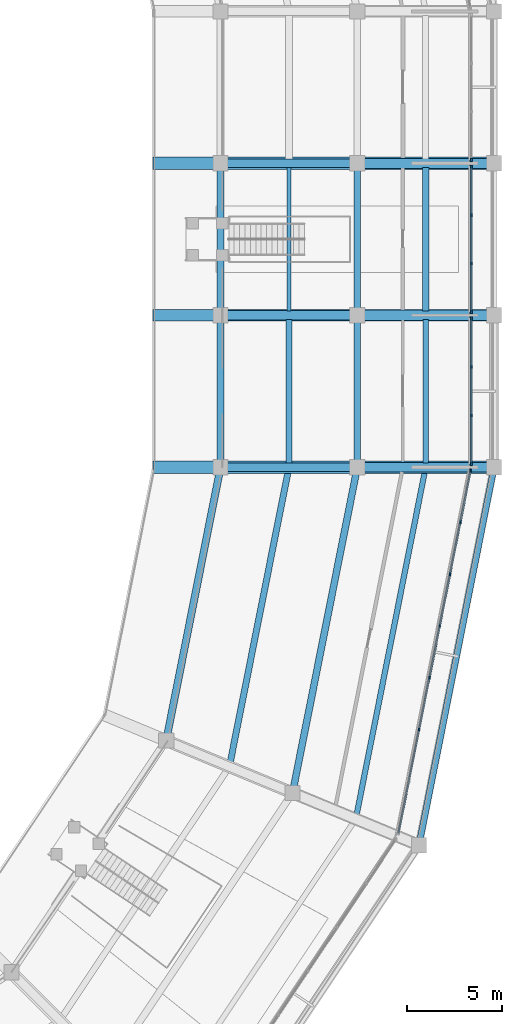
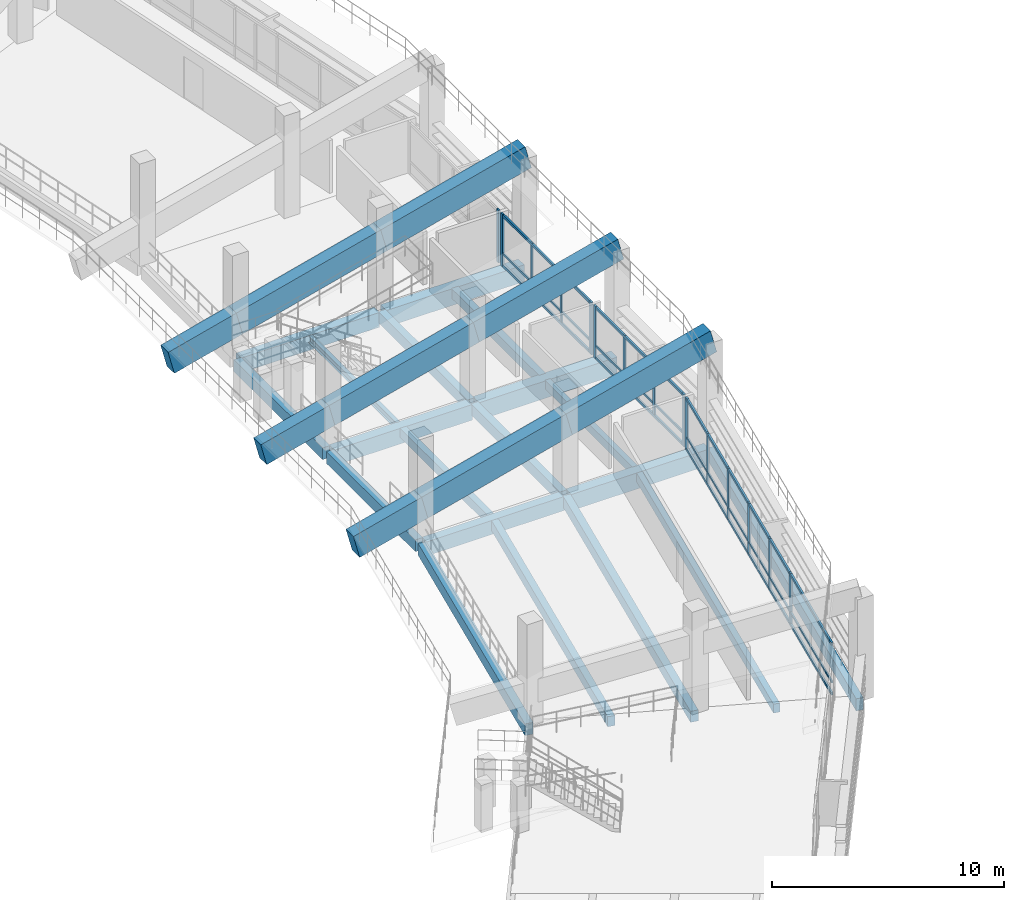
# One storey, part 33 of 96: 28 beams, 24 members, 4 elements without a shape of their own.
"""IFC4 building model written with IfcOpenShell, lengths in metres."""

import ifcopenshell
import ifcopenshell.guid

model = None  # the IFC model being written
_history = None  # IfcOwnerHistory: only IFC2X3 demands one
_inside = {}  # id of a spatial element -> (the spatial element, [elements in it])
_under = {}  # id of a project, library or spatial element -> (it, [spatial elements below it])
_declared = {}  # id of a project -> (the project, [libraries it declares])
_typed = {}  # id of a type object -> (the type object, [elements of that type])
_made_of = {}  # id of a material, layer set ... -> (it, [elements and type objects made of it])


def new_model(schema):
    """Start an empty IFC model of exactly this schema.

    Asked for "IFC4X3", IfcOpenShell would pick the latest addendum, in which some entities
    have other attributes; the version numbers below select the first issue.
    IFC2X3 requires an IfcOwnerHistory on every rooted entity: one is made here for all.
    """
    global model, _history
    if schema == "IFC4X3":
        model = ifcopenshell.file(schema_version=(4, 3, 0, 0))
    else:
        model = ifcopenshell.file(schema=schema)
    _inside.clear()
    _under.clear()
    _declared.clear()
    _typed.clear()
    _made_of.clear()
    _history = None
    if model.schema == "IFC2X3":
        org = make("IfcOrganization", Name="unknown")
        user = make(
            "IfcPersonAndOrganization",
            ThePerson=make("IfcPerson", FamilyName="unknown"),
            TheOrganization=org,
        )
        app = make(
            "IfcApplication",
            ApplicationDeveloper=org,
            Version="unknown",
            ApplicationFullName="unknown",
            ApplicationIdentifier="unknown",
        )
        _history = make(
            "IfcOwnerHistory",
            OwningUser=user,
            OwningApplication=app,
            ChangeAction="ADDED",
            CreationDate=0,
        )
    return model


def make(cls, **values):
    """One entity of the class cls with the attributes given. An attribute that is None is left unset."""
    return model.create_entity(
        cls, **{name: value for name, value in values.items() if value is not None}
    )


def rooted(cls, **values):
    """An entity with a GlobalId (a new one), such as an element, a storey or a relation."""
    return make(cls, GlobalId=ifcopenshell.guid.new(), OwnerHistory=_history, **values)


def si_unit(unit_type, name, prefix=None):
    """IfcSIUnit, for example si_unit("LENGTHUNIT", "METRE", prefix="MILLI")."""
    return make("IfcSIUnit", UnitType=unit_type, Prefix=prefix, Name=name)


def assignment(units):
    """IfcUnitAssignment: the units of a project."""
    return None if units is None else make("IfcUnitAssignment", Units=units)


def point(xyz):
    """IfcCartesianPoint."""
    return None if xyz is None else make("IfcCartesianPoint", Coordinates=xyz)


def direction(xyz):
    """IfcDirection."""
    return None if xyz is None else make("IfcDirection", DirectionRatios=xyz)


def frame(location, z_axis=None, x_axis=None):
    """IfcAxis2Placement3D, a coordinate frame: its origin and axes. An axis left out is left unset."""
    return make(
        "IfcAxis2Placement3D",
        Location=point(location),
        Axis=direction(z_axis),
        RefDirection=direction(x_axis),
    )


def frame_2d(location, x_axis=None):
    """IfcAxis2Placement2D, a coordinate frame in the plane: its origin and x axis."""
    return make(
        "IfcAxis2Placement2D", Location=point(location), RefDirection=direction(x_axis)
    )


def origin():
    """The frame at (0, 0, 0) with its axes left unset."""
    return frame((0.0, 0.0, 0.0))


def origin_2d():
    """The frame at (0, 0) in the plane with its x axis left unset."""
    return frame_2d((0.0, 0.0))


def place(relative_to, where):
    """IfcLocalPlacement: puts the frame where relative to a parent placement (None: the world)."""
    return make(
        "IfcLocalPlacement", PlacementRelTo=relative_to, RelativePlacement=where
    )


def context(
    kind, dimensions, precision=None, world=None, true_north=None, identifier=None
):
    """IfcGeometricRepresentationContext, for example the 3D "Model" context."""
    return make(
        "IfcGeometricRepresentationContext",
        ContextIdentifier=identifier,
        ContextType=kind,
        CoordinateSpaceDimension=dimensions,
        Precision=precision,
        WorldCoordinateSystem=world,
        TrueNorth=true_north,
    )


def subcontext(parent, identifier, kind, view, scale=None):
    """IfcGeometricRepresentationSubContext, for example "Body" below "Model"."""
    return make(
        "IfcGeometricRepresentationSubContext",
        ContextIdentifier=identifier,
        ContextType=kind,
        ParentContext=parent,
        TargetScale=scale,
        TargetView=view,
    )


def project(units=None, contexts=None):
    """IfcProject with its units and contexts."""
    return rooted(
        "IfcProject",
        Name="project",
        RepresentationContexts=contexts,
        UnitsInContext=assignment(units),
    )


def spatial(cls, under=None, at=None, **own):
    """A site, building, storey or space (cls), placed at a placement, below another one or the project."""
    s = rooted(cls, ObjectPlacement=at, **own)
    if under is not None:
        _under.setdefault(under.id(), (under, []))[1].append(s)
    return s


def profile(cls, at=None, kind="AREA", **sizes):
    """A parametric profile (cls). Its sizes go by their IFC names, for example OverallWidth=200.0."""
    return make(cls, ProfileType=kind, Position=at, **sizes)


def rectangle(**sizes):
    """IfcRectangleProfileDef."""
    return profile("IfcRectangleProfileDef", **sizes)


def i_section(**sizes):
    """IfcIShapeProfileDef."""
    return profile("IfcIShapeProfileDef", **sizes)


def extrude(swept, where, along, depth):
    """IfcExtrudedAreaSolid: the profile swept, set in the frame where, extruded along a direction by depth."""
    return make(
        "IfcExtrudedAreaSolid",
        SweptArea=swept,
        Position=where,
        ExtrudedDirection=direction(along),
        Depth=depth,
    )


def shape(context_of_items, identifier, shape_type, items):
    """IfcShapeRepresentation: the items that make up one representation, for example the "Body"."""
    return make(
        "IfcShapeRepresentation",
        ContextOfItems=context_of_items,
        RepresentationIdentifier=identifier,
        RepresentationType=shape_type,
        Items=items,
    )


def material(Name=None, Category=None):
    """IfcMaterial."""
    return make("IfcMaterial", Name=Name, Category=Category)


def material_profile(
    of_material, cross_section, Name=None, Category=None, Priority=None
):
    """IfcMaterialProfile: a cross section and its material."""
    return make(
        "IfcMaterialProfile",
        Name=Name,
        Material=of_material,
        Profile=cross_section,
        Priority=Priority,
        Category=Category,
    )


def profile_set(profiles, Name=None, composite=None):
    """IfcMaterialProfileSet."""
    return make(
        "IfcMaterialProfileSet",
        Name=Name,
        MaterialProfiles=profiles,
        CompositeProfile=composite,
    )


def made_of(thing, what):
    """Note that an element or type object is made of a material, layer set ...; save() writes the relation."""
    if what is not None:
        _made_of.setdefault(what.id(), (what, []))[1].append(thing)
    return thing


def type_object(cls, material=None, **own):
    """A type object (cls), such as IfcWallType, which elements share."""
    return made_of(rooted(cls, **own), material)


def element(
    cls,
    number,
    at=None,
    inside=None,
    cuts=None,
    type_object=None,
    material=None,
    context=None,
    identifier="Body",
    shape_type=None,
    held_by="IfcProductDefinitionShape",
    body=None,
    shapes=None,
    **own,
):
    """One element of the class cls, such as IfcWall. Its Tag is "e" and its number.

    at: its placement. inside: the storey or other place that contains it. cuts: it is an
    opening in that element (IfcRelVoidsElement). A single representation is given by context,
    identifier, shape_type and body (its items); several are given by shapes. held_by: the class
    of the entity that holds the representations. save() writes the other relations.
    """
    e = rooted(cls, Tag="e%d" % number, ObjectPlacement=at, **own)
    if body is not None:
        shapes = [shape(context, identifier, shape_type, body)]
    if shapes is not None:
        e.Representation = make(held_by, Representations=shapes)
    if inside is not None:
        _inside.setdefault(inside.id(), (inside, []))[1].append(e)
    if cuts is not None:
        rooted(
            "IfcRelVoidsElement", RelatingBuildingElement=cuts, RelatedOpeningElement=e
        )
    if type_object is not None:
        _typed.setdefault(type_object.id(), (type_object, []))[1].append(e)
    return made_of(e, material)


def aggregate(whole, parts):
    """IfcRelAggregates: a whole, such as a stair, and the parts it consists of."""
    return rooted("IfcRelAggregates", RelatingObject=whole, RelatedObjects=parts)


def save(model, path):
    """Write the relations noted so far, then the file.

    IfcRelAggregates (storeys below a building ...), IfcRelContainedInSpatialStructure (elements
    in a storey), IfcRelDefinesByType, IfcRelAssociatesMaterial and IfcRelDeclares: one each for
    every whole, place, type object, material and project.
    """
    for whole, parts in _under.values():
        aggregate(whole, parts)
    for where, things in _inside.values():
        rooted(
            "IfcRelContainedInSpatialStructure",
            RelatedElements=things,
            RelatingStructure=where,
        )
    for kind, things in _typed.values():
        rooted("IfcRelDefinesByType", RelatedObjects=things, RelatingType=kind)
    for what, things in _made_of.values():
        rooted("IfcRelAssociatesMaterial", RelatedObjects=things, RelatingMaterial=what)
    for by, libraries in _declared.values():
        rooted("IfcRelDeclares", RelatingContext=by, RelatedDefinitions=libraries)
    model.write(path)


model = new_model("IFC4")

# Units and contexts
model_context = context("Model", 3, precision=1e-05, world=origin(), true_north=direction((0.0, 1.0)))
body_context = subcontext(model_context, "Body", "Model", "MODEL_VIEW")
ifc_project = project(units=[si_unit("LENGTHUNIT", "METRE"), si_unit("AREAUNIT", "SQUARE_METRE"), si_unit("VOLUMEUNIT", "CUBIC_METRE"), si_unit("PLANEANGLEUNIT", "RADIAN"), si_unit("MASSUNIT", "GRAM", prefix="KILO")], contexts=[model_context])

# Site, building, storey
site_placement = place(None, origin())
site = spatial("IfcSite", under=ifc_project, at=site_placement, CompositionType="ELEMENT")
building_placement = place(site_placement, origin())
building = spatial("IfcBuilding", under=site, at=building_placement, Name="Candeia Ridge Stadium", CompositionType="ELEMENT")
storey_placement = place(building_placement, frame((0.0, 0.0, 21.60009765625)))
storey = spatial("IfcBuildingStorey", under=building, at=storey_placement, Name="L04", CompositionType="ELEMENT", Elevation=21.60009765625)

# Beam
ifc_material_1 = material(Name="Steel ASTM A572 Grade 50", Category="steel")
ifc_material_profile_1 = material_profile(ifc_material_1, i_section(OverallWidth=0.205078125, OverallDepth=0.35400390625, WebThickness=0.009521484375, FlangeThickness=0.016845703125, FilletRadius=0.014892578125, at=origin_2d()), Name="W360x79", Category="steel")
ifc_profile_set_1 = profile_set([ifc_material_profile_1], Name="Steel ASTM A572 Grade 50")
beam_type_1 = type_object("IfcBeamType", Name="Concourse Secondary Joist W360x79", PredefinedType="JOIST", material=ifc_profile_set_1)
beam_1_placement = place(storey_placement, frame((182.199951171875, 79.221923828125, -0.43701171875), z_axis=(0.0, 1.0, 0.0), x_axis=(-1.0, 0.0, 0.0)))
element("IfcBeam", 1, at=beam_1_placement, inside=storey, type_object=beam_type_1, Name="Concourse secondary joist BM-L04-0935", PredefinedType="JOIST", context=body_context, shape_type="SweptSolid", body=[
    extrude(i_section(OverallWidth=0.205078125, OverallDepth=0.35400390625, WebThickness=0.009521484375, FlangeThickness=0.016845703125, FilletRadius=0.014892578125, at=origin_2d()), origin(), (0.0, 0.0, 1.0), 7.55615234375),
])

# Curtain wall, member
ifc_material_2 = material(Name="Aluminium Anodized Warm Bronze", Category="aluminium")
curtain_wall_type = type_object("IfcCurtainWallType", Name="Concourse Recessed Unitised Curtain Wall", PredefinedType="NOTDEFINED", material=ifc_material_2)
curtain_wall_1_placement = place(storey_placement, origin())
curtain_wall_1 = element("IfcCurtainWall", 2, at=curtain_wall_1_placement, inside=storey, type_object=curtain_wall_type, Name="Unitised curtain wall CW-BWL-L04-28", PredefinedType="NOTDEFINED")
ifc_material_profile_2 = material_profile(ifc_material_2, rectangle(XDim=0.090087890625, YDim=0.179931640625, at=origin_2d()), Name="CWM-90x180", Category="aluminium")
ifc_profile_set_2 = profile_set([ifc_material_profile_2], Name="Aluminium Anodized Warm Bronze")
member_type_1 = type_object("IfcMemberType", Name="Curtain Wall Primary Mullion 90x180", PredefinedType="MULLION", material=ifc_profile_set_2)
member_1_placement = place(storey_placement, frame((191.764892578125, 70.823486328125, 0.0), z_axis=(0.0, 0.0, 1.0), x_axis=(1.0, 0.0, 0.0)))
member_1 = element("IfcMember", 3, at=member_1_placement, type_object=member_type_1, Name="Curtain wall mullion CW-BWL-L04-28-M7", PredefinedType="MULLION", context=body_context, shape_type="SweptSolid", body=[
    extrude(rectangle(XDim=0.090087890625, YDim=0.179931640625, at=origin_2d()), origin(), (0.0, 0.0, 1.0), 2.772216796875),
])

# Curtain wall, members
curtain_wall_2_placement = place(storey_placement, origin())
curtain_wall_2 = element("IfcCurtainWall", 4, at=curtain_wall_2_placement, inside=storey, type_object=curtain_wall_type, Name="Unitised curtain wall CW-BWL-L04-29", PredefinedType="NOTDEFINED")
member_2_placement = place(storey_placement, frame((191.800048828125, 71.179931640625, 0.0), z_axis=(0.0, 0.0, 1.0), x_axis=(1.0, 0.0, 0.0)))
member_2 = element("IfcMember", 5, at=member_2_placement, type_object=member_type_1, Name="Curtain wall mullion CW-BWL-L04-29-M0", PredefinedType="MULLION", context=body_context, shape_type="SweptSolid", body=[
    extrude(rectangle(XDim=0.090087890625, YDim=0.179931640625, at=origin_2d()), origin(), (0.0, 0.0, 1.0), 2.772216796875),
])
member_3_placement = place(storey_placement, frame((191.800048828125, 78.820068359375, 0.0), z_axis=(0.0, 0.0, 1.0), x_axis=(1.0, 0.0, 0.0)))
member_3 = element("IfcMember", 6, at=member_3_placement, type_object=member_type_1, Name="Curtain wall mullion CW-BWL-L04-29-M3", PredefinedType="MULLION", context=body_context, shape_type="SweptSolid", body=[
    extrude(rectangle(XDim=0.090087890625, YDim=0.179931640625, at=origin_2d()), origin(), (0.0, 0.0, 1.0), 2.772216796875),
])

curtain_wall_3_placement = place(storey_placement, origin())
curtain_wall_3 = element("IfcCurtainWall", 7, at=curtain_wall_3_placement, inside=storey, type_object=curtain_wall_type, Name="Unitised curtain wall CW-BWL-L04-30", PredefinedType="NOTDEFINED")
member_4_placement = place(storey_placement, frame((191.800048828125, 79.179931640625, 0.0), z_axis=(0.0, 0.0, 1.0), x_axis=(1.0, 0.0, 0.0)))
member_4 = element("IfcMember", 8, at=member_4_placement, type_object=member_type_1, Name="Curtain wall mullion CW-BWL-L04-30-M0", PredefinedType="MULLION", context=body_context, shape_type="SweptSolid", body=[
    extrude(rectangle(XDim=0.090087890625, YDim=0.179931640625, at=origin_2d()), origin(), (0.0, 0.0, 1.0), 2.772216796875),
])
member_5_placement = place(storey_placement, frame((191.800048828125, 86.820068359375, 0.0), z_axis=(0.0, 0.0, 1.0), x_axis=(1.0, 0.0, 0.0)))
member_5 = element("IfcMember", 9, at=member_5_placement, type_object=member_type_1, Name="Curtain wall mullion CW-BWL-L04-30-M3", PredefinedType="MULLION", context=body_context, shape_type="SweptSolid", body=[
    extrude(rectangle(XDim=0.090087890625, YDim=0.179931640625, at=origin_2d()), origin(), (0.0, 0.0, 1.0), 2.772216796875),
])

# Curtain wall, member
curtain_wall_4_placement = place(storey_placement, origin())
curtain_wall_4 = element("IfcCurtainWall", 10, at=curtain_wall_4_placement, inside=storey, type_object=curtain_wall_type, Name="Unitised curtain wall CW-BWL-L04-31", PredefinedType="NOTDEFINED")
member_6_placement = place(storey_placement, frame((191.800048828125, 87.179931640625, 0.0), z_axis=(0.0, 0.0, 1.0), x_axis=(1.0, 0.0, 0.0)))
member_6 = element("IfcMember", 11, at=member_6_placement, type_object=member_type_1, Name="Curtain wall mullion CW-BWL-L04-31-M0", PredefinedType="MULLION", context=body_context, shape_type="SweptSolid", body=[
    extrude(rectangle(XDim=0.090087890625, YDim=0.179931640625, at=origin_2d()), origin(), (0.0, 0.0, 1.0), 2.772216796875),
])
aggregate(curtain_wall_4, [member_6])

# Member
ifc_material_profile_3 = material_profile(ifc_material_2, rectangle(XDim=0.074951171875, YDim=0.14990234375, at=origin_2d()), Name="CWM-75x150", Category="aluminium")
ifc_profile_set_3 = profile_set([ifc_material_profile_3], Name="Aluminium Anodized Warm Bronze")
member_type_2 = type_object("IfcMemberType", Name="Curtain Wall Secondary Mullion 75x150", PredefinedType="MULLION", material=ifc_profile_set_3)
member_7_placement = place(storey_placement, frame((189.052978515625, 57.189697265625, 0.0), z_axis=(0.0, 0.0, 1.0), x_axis=(1.0, 0.0, 0.0)))
member_7 = element("IfcMember", 12, at=member_7_placement, type_object=member_type_2, Name="Curtain wall mullion CW-BWL-L04-28-M2", PredefinedType="MULLION", context=body_context, shape_type="SweptSolid", body=[
    extrude(rectangle(XDim=0.074951171875, YDim=0.14990234375, at=origin_2d()), origin(), (0.0, 0.0, 1.0), 2.772216796875),
])

member_8_placement = place(storey_placement, frame((189.595458984375, 59.91650390625, 0.0), z_axis=(0.0, 0.0, 1.0), x_axis=(1.0, 0.0, 0.0)))
member_8 = element("IfcMember", 13, at=member_8_placement, type_object=member_type_2, Name="Curtain wall mullion CW-BWL-L04-28-M3", PredefinedType="MULLION", context=body_context, shape_type="SweptSolid", body=[
    extrude(rectangle(XDim=0.074951171875, YDim=0.14990234375, at=origin_2d()), origin(), (0.0, 0.0, 1.0), 2.772216796875),
])

member_9_placement = place(storey_placement, frame((190.1376953125, 62.643310546875, 0.0), z_axis=(0.0, 0.0, 1.0), x_axis=(1.0, 0.0, 0.0)))
member_9 = element("IfcMember", 14, at=member_9_placement, type_object=member_type_2, Name="Curtain wall mullion CW-BWL-L04-28-M4", PredefinedType="MULLION", context=body_context, shape_type="SweptSolid", body=[
    extrude(rectangle(XDim=0.074951171875, YDim=0.14990234375, at=origin_2d()), origin(), (0.0, 0.0, 1.0), 2.772216796875),
])

member_10_placement = place(storey_placement, frame((190.68017578125, 65.3701171875, 0.0), z_axis=(0.0, 0.0, 1.0), x_axis=(1.0, 0.0, 0.0)))
member_10 = element("IfcMember", 15, at=member_10_placement, type_object=member_type_2, Name="Curtain wall mullion CW-BWL-L04-28-M5", PredefinedType="MULLION", context=body_context, shape_type="SweptSolid", body=[
    extrude(rectangle(XDim=0.074951171875, YDim=0.14990234375, at=origin_2d()), origin(), (0.0, 0.0, 1.0), 2.772216796875),
])

member_11_placement = place(storey_placement, frame((191.222412109375, 68.0966796875, 0.0), z_axis=(0.0, 0.0, 1.0), x_axis=(1.0, 0.0, 0.0)))
member_11 = element("IfcMember", 16, at=member_11_placement, type_object=member_type_2, Name="Curtain wall mullion CW-BWL-L04-28-M6", PredefinedType="MULLION", context=body_context, shape_type="SweptSolid", body=[
    extrude(rectangle(XDim=0.074951171875, YDim=0.14990234375, at=origin_2d()), origin(), (0.0, 0.0, 1.0), 2.772216796875),
])

member_12_placement = place(storey_placement, frame((191.800048828125, 73.726806640625, 0.0), z_axis=(0.0, 0.0, 1.0), x_axis=(1.0, 0.0, 0.0)))
member_12 = element("IfcMember", 17, at=member_12_placement, type_object=member_type_2, Name="Curtain wall mullion CW-BWL-L04-29-M1", PredefinedType="MULLION", context=body_context, shape_type="SweptSolid", body=[
    extrude(rectangle(XDim=0.074951171875, YDim=0.14990234375, at=origin_2d()), origin(), (0.0, 0.0, 1.0), 2.772216796875),
])

member_13_placement = place(storey_placement, frame((191.800048828125, 76.273193359375, 0.0), z_axis=(0.0, 0.0, 1.0), x_axis=(1.0, 0.0, 0.0)))
member_13 = element("IfcMember", 18, at=member_13_placement, type_object=member_type_2, Name="Curtain wall mullion CW-BWL-L04-29-M2", PredefinedType="MULLION", context=body_context, shape_type="SweptSolid", body=[
    extrude(rectangle(XDim=0.074951171875, YDim=0.14990234375, at=origin_2d()), origin(), (0.0, 0.0, 1.0), 2.772216796875),
])

member_14_placement = place(storey_placement, frame((191.800048828125, 81.726806640625, 0.0), z_axis=(0.0, 0.0, 1.0), x_axis=(1.0, 0.0, 0.0)))
member_14 = element("IfcMember", 19, at=member_14_placement, type_object=member_type_2, Name="Curtain wall mullion CW-BWL-L04-30-M1", PredefinedType="MULLION", context=body_context, shape_type="SweptSolid", body=[
    extrude(rectangle(XDim=0.074951171875, YDim=0.14990234375, at=origin_2d()), origin(), (0.0, 0.0, 1.0), 2.772216796875),
])

member_15_placement = place(storey_placement, frame((191.800048828125, 84.273193359375, 0.0), z_axis=(0.0, 0.0, 1.0), x_axis=(1.0, 0.0, 0.0)))
member_15 = element("IfcMember", 20, at=member_15_placement, type_object=member_type_2, Name="Curtain wall mullion CW-BWL-L04-30-M2", PredefinedType="MULLION", context=body_context, shape_type="SweptSolid", body=[
    extrude(rectangle(XDim=0.074951171875, YDim=0.14990234375, at=origin_2d()), origin(), (0.0, 0.0, 1.0), 2.772216796875),
])

ifc_material_profile_4 = material_profile(ifc_material_2, rectangle(XDim=0.074951171875, YDim=0.110107421875, at=origin_2d()), Name="CWT-75x110", Category="aluminium")
ifc_profile_set_4 = profile_set([ifc_material_profile_4], Name="Aluminium Anodized Warm Bronze")
member_type_3 = type_object("IfcMemberType", Name="Curtain Wall Secondary Transom 75x110", PredefinedType="USERDEFINED", material=ifc_profile_set_4)
member_16_placement = place(storey_placement, frame((187.96826171875, 51.736083984375, 0.693115234375), z_axis=(0.195085896803, 0.980786160623, 0.0), x_axis=(-0.980786160623, 0.195085896803, 0.0)))
member_16 = element("IfcMember", 21, at=member_16_placement, type_object=member_type_3, Name="Curtain wall transom CW-BWL-L04-28-T1", ObjectType="TRANSOM", PredefinedType="USERDEFINED", context=body_context, shape_type="SweptSolid", body=[
    extrude(rectangle(XDim=0.074951171875, YDim=0.110107421875, at=origin_2d()), origin(), (0.0, 0.0, 1.0), 19.46142578125),
])

member_17_placement = place(storey_placement, frame((191.800048828125, 71.179931640625, 0.693115234375), z_axis=(0.0, 1.0, 0.0), x_axis=(-1.0, 0.0, 0.0)))
member_17 = element("IfcMember", 22, at=member_17_placement, type_object=member_type_3, Name="Curtain wall transom CW-BWL-L04-29-T1", ObjectType="TRANSOM", PredefinedType="USERDEFINED", context=body_context, shape_type="SweptSolid", body=[
    extrude(rectangle(XDim=0.074951171875, YDim=0.110107421875, at=origin_2d()), origin(), (0.0, 0.0, 1.0), 7.64013671875),
])

member_18_placement = place(storey_placement, frame((191.800048828125, 79.179931640625, 0.693115234375), z_axis=(0.0, 1.0, 0.0), x_axis=(-1.0, 0.0, 0.0)))
member_18 = element("IfcMember", 23, at=member_18_placement, type_object=member_type_3, Name="Curtain wall transom CW-BWL-L04-30-T1", ObjectType="TRANSOM", PredefinedType="USERDEFINED", context=body_context, shape_type="SweptSolid", body=[
    extrude(rectangle(XDim=0.074951171875, YDim=0.110107421875, at=origin_2d()), origin(), (0.0, 0.0, 1.0), 7.64013671875),
])

ifc_material_profile_5 = material_profile(ifc_material_2, rectangle(XDim=0.090087890625, YDim=0.139892578125, at=origin_2d()), Name="CWT-90x140", Category="aluminium")
ifc_profile_set_5 = profile_set([ifc_material_profile_5], Name="Aluminium Anodized Warm Bronze")
member_type_4 = type_object("IfcMemberType", Name="Curtain Wall Transom 90x140", PredefinedType="USERDEFINED", material=ifc_profile_set_5)
member_19_placement = place(storey_placement, frame((187.96826171875, 51.736083984375, 0.06982421875), z_axis=(0.195085896803, 0.980786160623, 0.0), x_axis=(-0.980786160623, 0.195085896803, 0.0)))
member_19 = element("IfcMember", 24, at=member_19_placement, type_object=member_type_4, Name="Curtain wall transom CW-BWL-L04-28-T0", ObjectType="TRANSOM", PredefinedType="USERDEFINED", context=body_context, shape_type="SweptSolid", body=[
    extrude(rectangle(XDim=0.090087890625, YDim=0.139892578125, at=origin_2d()), origin(), (0.0, 0.0, 1.0), 19.46142578125),
])

member_20_placement = place(storey_placement, frame((187.96826171875, 51.736083984375, 2.7021484375), z_axis=(0.195085896803, 0.980786160623, 0.0), x_axis=(-0.980786160623, 0.195085896803, 0.0)))
member_20 = element("IfcMember", 25, at=member_20_placement, type_object=member_type_4, Name="Curtain wall transom CW-BWL-L04-28-T2", ObjectType="TRANSOM", PredefinedType="USERDEFINED", context=body_context, shape_type="SweptSolid", body=[
    extrude(rectangle(XDim=0.090087890625, YDim=0.139892578125, at=origin_2d()), origin(), (0.0, 0.0, 1.0), 19.46142578125),
])

aggregate(curtain_wall_1, [member_7, member_8, member_9, member_10, member_11, member_1, member_19, member_16, member_20])

member_21_placement = place(storey_placement, frame((191.800048828125, 71.179931640625, 0.06982421875), z_axis=(0.0, 1.0, 0.0), x_axis=(-1.0, 0.0, 0.0)))
member_21 = element("IfcMember", 26, at=member_21_placement, type_object=member_type_4, Name="Curtain wall transom CW-BWL-L04-29-T0", ObjectType="TRANSOM", PredefinedType="USERDEFINED", context=body_context, shape_type="SweptSolid", body=[
    extrude(rectangle(XDim=0.090087890625, YDim=0.139892578125, at=origin_2d()), origin(), (0.0, 0.0, 1.0), 7.64013671875),
])

member_22_placement = place(storey_placement, frame((191.800048828125, 71.179931640625, 2.7021484375), z_axis=(0.0, 1.0, 0.0), x_axis=(-1.0, 0.0, 0.0)))
member_22 = element("IfcMember", 27, at=member_22_placement, type_object=member_type_4, Name="Curtain wall transom CW-BWL-L04-29-T2", ObjectType="TRANSOM", PredefinedType="USERDEFINED", context=body_context, shape_type="SweptSolid", body=[
    extrude(rectangle(XDim=0.090087890625, YDim=0.139892578125, at=origin_2d()), origin(), (0.0, 0.0, 1.0), 7.64013671875),
])

aggregate(curtain_wall_2, [member_2, member_12, member_13, member_3, member_21, member_17, member_22])

member_23_placement = place(storey_placement, frame((191.800048828125, 79.179931640625, 0.06982421875), z_axis=(0.0, 1.0, 0.0), x_axis=(-1.0, 0.0, 0.0)))
member_23 = element("IfcMember", 28, at=member_23_placement, type_object=member_type_4, Name="Curtain wall transom CW-BWL-L04-30-T0", ObjectType="TRANSOM", PredefinedType="USERDEFINED", context=body_context, shape_type="SweptSolid", body=[
    extrude(rectangle(XDim=0.090087890625, YDim=0.139892578125, at=origin_2d()), origin(), (0.0, 0.0, 1.0), 7.64013671875),
])

member_24_placement = place(storey_placement, frame((191.800048828125, 79.179931640625, 2.7021484375), z_axis=(0.0, 1.0, 0.0), x_axis=(-1.0, 0.0, 0.0)))
member_24 = element("IfcMember", 29, at=member_24_placement, type_object=member_type_4, Name="Curtain wall transom CW-BWL-L04-30-T2", ObjectType="TRANSOM", PredefinedType="USERDEFINED", context=body_context, shape_type="SweptSolid", body=[
    extrude(rectangle(XDim=0.090087890625, YDim=0.139892578125, at=origin_2d()), origin(), (0.0, 0.0, 1.0), 7.64013671875),
])

aggregate(curtain_wall_3, [member_4, member_14, member_15, member_5, member_23, member_18, member_24])

# Beams
ifc_material_3 = material(Name="Concrete C40/50", Category="concrete")
ifc_material_profile_6 = material_profile(ifc_material_3, rectangle(XDim=0.27001953125, YDim=0.43994140625, at=origin_2d()), Name="RC270x440", Category="concrete")
ifc_profile_set_6 = profile_set([ifc_material_profile_6], Name="Concrete C40/50")
beam_type_2 = type_object("IfcBeamType", Name="Floor Joist RC270x440", PredefinedType="JOIST", material=ifc_profile_set_6)
beam_2_placement = place(storey_placement, frame((189.39990234375, 71.221923828125, -0.47998046875), z_axis=(0.0, 1.0, 0.0), x_axis=(-1.0, 0.0, 0.0)))
element("IfcBeam", 30, at=beam_2_placement, inside=storey, type_object=beam_type_2, Name="Concourse secondary joist BM-L04-0931", PredefinedType="JOIST", context=body_context, shape_type="SweptSolid", body=[
    extrude(rectangle(XDim=0.27001953125, YDim=0.43994140625, at=origin_2d()), origin(), (0.0, 0.0, 1.0), 7.55615234375),
])
ifc_material_profile_7 = material_profile(ifc_material_3, rectangle(XDim=0.2900390625, YDim=0.469970703125, at=origin_2d()), Name="RC290x470", Category="concrete")
ifc_profile_set_7 = profile_set([ifc_material_profile_7], Name="Concrete C40/50")
beam_type_3 = type_object("IfcBeamType", Name="Floor Joist RC290x470", PredefinedType="JOIST", material=ifc_profile_set_7)
beam_3_placement = place(storey_placement, frame((185.759033203125, 52.69580078125, -0.4951171875), z_axis=(0.195092537954, 0.980784839623, 0.0), x_axis=(-0.980784839623, 0.195092537954, 0.0)))
element("IfcBeam", 31, at=beam_3_placement, inside=storey, type_object=beam_type_3, Name="Concourse secondary joist BM-L04-0926", PredefinedType="JOIST", context=body_context, shape_type="SweptSolid", body=[
    extrude(rectangle(XDim=0.2900390625, YDim=0.469970703125, at=origin_2d()), origin(), (0.0, 0.0, 1.0), 18.440673828125),
])
ifc_material_profile_8 = material_profile(ifc_material_3, rectangle(XDim=0.31005859375, YDim=0.489990234375, at=origin_2d()), Name="RC310x490", Category="concrete")
ifc_profile_set_8 = profile_set([ifc_material_profile_8], Name="Concrete C40/50")
beam_type_4 = type_object("IfcBeamType", Name="Floor Joist RC310x490", PredefinedType="JOIST", material=ifc_profile_set_8)
beam_4_placement = place(storey_placement, frame((182.199951171875, 71.221923828125, -0.505126953125), z_axis=(0.0, 1.0, 0.0), x_axis=(-1.0, 0.0, 0.0)))
element("IfcBeam", 32, at=beam_4_placement, inside=storey, type_object=beam_type_4, Name="Concourse secondary joist BM-L04-0930", PredefinedType="JOIST", context=body_context, shape_type="SweptSolid", body=[
    extrude(rectangle(XDim=0.31005859375, YDim=0.489990234375, at=origin_2d()), origin(), (0.0, 0.0, 1.0), 7.55615234375),
])
ifc_material_profile_9 = material_profile(ifc_material_3, rectangle(XDim=0.330078125, YDim=0.530029296875, at=origin_2d()), Name="RC330x530", Category="concrete")
ifc_profile_set_9 = profile_set([ifc_material_profile_9], Name="Concrete C40/50")
beam_type_5 = type_object("IfcBeamType", Name="Floor Joist RC330x530", PredefinedType="JOIST", material=ifc_profile_set_9)
beam_5_placement = place(storey_placement, frame((179.107177734375, 55.451171875, -0.525146484375), z_axis=(0.195091809076, 0.980784984607, 0.0), x_axis=(-0.980784984607, 0.195091809076, 0.0)))
element("IfcBeam", 33, at=beam_5_placement, inside=storey, type_object=beam_type_5, Name="Concourse secondary joist BM-L04-0925", PredefinedType="JOIST", context=body_context, shape_type="SweptSolid", body=[
    extrude(rectangle(XDim=0.330078125, YDim=0.530029296875, at=origin_2d()), origin(), (0.0, 0.0, 1.0), 15.63134765625),
])
ifc_material_profile_10 = material_profile(ifc_material_3, rectangle(XDim=0.35009765625, YDim=0.5, at=origin_2d()), Name="RC350x500", Category="concrete")
ifc_profile_set_10 = profile_set([ifc_material_profile_10], Name="Concrete C40/50")
beam_type_6 = type_object("IfcBeamType", Name="Floor Joist RC350x500", PredefinedType="JOIST", material=ifc_profile_set_10)
beam_6_placement = place(storey_placement, frame((189.39990234375, 79.221923828125, -0.510009765625), z_axis=(0.0, 1.0, 0.0), x_axis=(-1.0, 0.0, 0.0)))
element("IfcBeam", 34, at=beam_6_placement, inside=storey, type_object=beam_type_6, Name="Concourse secondary joist BM-L04-0936", PredefinedType="JOIST", context=body_context, shape_type="SweptSolid", body=[
    extrude(rectangle(XDim=0.35009765625, YDim=0.5, at=origin_2d()), origin(), (0.0, 0.0, 1.0), 7.55615234375),
])
ifc_material_profile_11 = material_profile(ifc_material_3, rectangle(XDim=0.360107421875, YDim=0.580078125, at=origin_2d()), Name="RC360x580", Category="concrete")
ifc_profile_set_11 = profile_set([ifc_material_profile_11], Name="Concrete C40/50")
beam_type_7 = type_object("IfcBeamType", Name="Frame Girder RC360x580", PredefinedType="BEAM", material=ifc_profile_set_11)
beam_7_placement = place(storey_placement, frame((182.4208984375, 54.0126953125, -0.550048828125), z_axis=(0.195098234154, 0.980783706548, 0.0), x_axis=(-0.980783706548, 0.195098234154, 0.0)))
element("IfcBeam", 35, at=beam_7_placement, inside=storey, type_object=beam_type_7, Name="Concourse spine girder BM-L04-0923", PredefinedType="BEAM", context=body_context, shape_type="SweptSolid", body=[
    extrude(rectangle(XDim=0.360107421875, YDim=0.580078125, at=origin_2d()), origin(), (0.0, 0.0, 1.0), 17.16015625),
])
for number, where, z_axis, x_axis, name in (
    (36, (185.800048828125, 71.159912109375, -0.550048828125), (0.0, 1.0, 0.0), (-1.0, 0.0, 0.0), "Concourse spine girder BM-L04-0928"),
    (37, (185.800048828125, 79.159912109375, -0.550048828125), (0.0, 1.0, 0.0), (-1.0, 0.0, 0.0), "Concourse spine girder BM-L04-0933"),
):
    element("IfcBeam", number, at=place(storey_placement, frame(where, z_axis=z_axis, x_axis=x_axis)), inside=storey, type_object=beam_type_7, Name=name, PredefinedType="BEAM", context=body_context, shape_type="SweptSolid", body=[
        extrude(rectangle(XDim=0.360107421875, YDim=0.580078125, at=origin_2d()), origin(), (0.0, 0.0, 1.0), 7.68017578125),
    ])
ifc_material_profile_12 = material_profile(ifc_material_3, rectangle(XDim=0.3798828125, YDim=0.6201171875, at=origin_2d()), Name="RC380x620", Category="concrete")
ifc_profile_set_12 = profile_set([ifc_material_profile_12], Name="Concrete C40/50")
beam_type_8 = type_object("IfcBeamType", Name="Frame Girder RC380x620", PredefinedType="BEAM", material=ifc_profile_set_12)
beam_8_placement = place(storey_placement, frame((175.76904296875, 56.76806640625, -0.570068359375), z_axis=(0.195098555341, 0.980783642657, 0.0), x_axis=(-0.980783642657, 0.195098555341, 0.0)))
element("IfcBeam", 38, at=beam_8_placement, inside=storey, type_object=beam_type_8, Name="Bowl inner ring girder BM-L04-0922", PredefinedType="BEAM", context=body_context, shape_type="SweptSolid", body=[
    extrude(rectangle(XDim=0.3798828125, YDim=0.6201171875, at=origin_2d()), origin(), (0.0, 0.0, 1.0), 14.350830078125),
])
for number, where, z_axis, x_axis, name in (
    (39, (178.60009765625, 71.159912109375, -0.570068359375), (0.0, 1.0, 0.0), (-1.0, 0.0, 0.0), "Bowl inner ring girder BM-L04-0927"),
    (40, (178.60009765625, 79.159912109375, -0.570068359375), (0.0, 1.0, 0.0), (-1.0, 0.0, 0.0), "Bowl inner ring girder BM-L04-0932"),
):
    element("IfcBeam", number, at=place(storey_placement, frame(where, z_axis=z_axis, x_axis=x_axis)), inside=storey, type_object=beam_type_8, Name=name, PredefinedType="BEAM", context=body_context, shape_type="SweptSolid", body=[
        extrude(rectangle(XDim=0.3798828125, YDim=0.6201171875, at=origin_2d()), origin(), (0.0, 0.0, 1.0), 7.68017578125),
    ])
ifc_material_profile_13 = material_profile(ifc_material_3, rectangle(XDim=0.429931640625, YDim=0.739990234375, at=origin_2d()), Name="RC430x740", Category="concrete")
ifc_profile_set_13 = profile_set([ifc_material_profile_13], Name="Concrete C40/50")
beam_type_9 = type_object("IfcBeamType", Name="Frame Girder RC430x740", PredefinedType="BEAM", material=ifc_profile_set_13)
beam_9_placement = place(storey_placement, frame((178.760009765625, 71.0, -0.630126953125), z_axis=(1.0, 0.0, 0.0), x_axis=(0.0, 1.0, 0.0)))
element("IfcBeam", 41, at=beam_9_placement, inside=storey, type_object=beam_type_9, Name="Bowl radial girder BM-L04-0779", PredefinedType="BEAM", context=body_context, shape_type="SweptSolid", body=[
    extrude(rectangle(XDim=0.429931640625, YDim=0.739990234375, at=origin_2d()), origin(), (0.0, 0.0, 1.0), 6.8798828125),
])
ifc_material_profile_14 = material_profile(ifc_material_3, rectangle(XDim=0.4599609375, YDim=0.780029296875, at=origin_2d()), Name="RC460x780", Category="concrete")
ifc_profile_set_14 = profile_set([ifc_material_profile_14], Name="Concrete C40/50")
beam_type_10 = type_object("IfcBeamType", Name="Frame Girder RC460x780", PredefinedType="BEAM", material=ifc_profile_set_14)
beam_10_placement = place(storey_placement, frame((178.760009765625, 87.0, -0.650146484375), z_axis=(1.0, 0.0, 0.0), x_axis=(0.0, 1.0, 0.0)))
element("IfcBeam", 42, at=beam_10_placement, inside=storey, type_object=beam_type_10, Name="Bowl radial girder BM-L04-0783", PredefinedType="BEAM", context=body_context, shape_type="SweptSolid", body=[
    extrude(rectangle(XDim=0.4599609375, YDim=0.780029296875, at=origin_2d()), origin(), (0.0, 0.0, 1.0), 6.8798828125),
])
ifc_material_4 = material(Name="Concrete C45/55", Category="concrete")
ifc_material_profile_15 = material_profile(ifc_material_4, rectangle(XDim=0.47998046875, YDim=0.820068359375, at=origin_2d()), Name="RC480x820", Category="concrete")
ifc_profile_set_15 = profile_set([ifc_material_profile_15], Name="Concrete C45/55")
beam_type_11 = type_object("IfcBeamType", Name="Frame Girder RC480x820", PredefinedType="BEAM", material=ifc_profile_set_15)
beam_11_placement = place(storey_placement, frame((178.760009765625, 79.0, -0.670166015625), z_axis=(1.0, 0.0, 0.0), x_axis=(0.0, 1.0, 0.0)))
element("IfcBeam", 43, at=beam_11_placement, inside=storey, type_object=beam_type_11, Name="Bowl radial girder BM-L04-0781", PredefinedType="BEAM", context=body_context, shape_type="SweptSolid", body=[
    extrude(rectangle(XDim=0.47998046875, YDim=0.820068359375, at=origin_2d()), origin(), (0.0, 0.0, 1.0), 6.8798828125),
])
ifc_material_profile_16 = material_profile(ifc_material_4, rectangle(XDim=0.5, YDim=0.85009765625, at=origin_2d()), Name="RC500x850", Category="concrete")
ifc_profile_set_16 = profile_set([ifc_material_profile_16], Name="Concrete C45/55")
beam_type_12 = type_object("IfcBeamType", Name="Frame Girder RC500x850", PredefinedType="BEAM", material=ifc_profile_set_16)
beam_12_placement = place(storey_placement, frame((185.9599609375, 71.0, -0.68505859375), z_axis=(1.0, 0.0, 0.0), x_axis=(0.0, 1.0, 0.0)))
element("IfcBeam", 44, at=beam_12_placement, inside=storey, type_object=beam_type_12, Name="Bowl radial girder BM-L04-0780", PredefinedType="BEAM", context=body_context, shape_type="SweptSolid", body=[
    extrude(rectangle(XDim=0.5, YDim=0.85009765625, at=origin_2d()), origin(), (0.0, 0.0, 1.0), 6.880126953125),
])
ifc_material_profile_17 = material_profile(ifc_material_4, rectangle(XDim=0.52001953125, YDim=0.8798828125, at=origin_2d()), Name="RC520x880", Category="concrete")
ifc_profile_set_17 = profile_set([ifc_material_profile_17], Name="Concrete C45/55")
beam_type_13 = type_object("IfcBeamType", Name="Frame Girder RC520x880", PredefinedType="BEAM", material=ifc_profile_set_17)
beam_13_placement = place(storey_placement, frame((185.9599609375, 87.0, -0.7001953125), z_axis=(1.0, 0.0, 0.0), x_axis=(0.0, 1.0, 0.0)))
element("IfcBeam", 45, at=beam_13_placement, inside=storey, type_object=beam_type_13, Name="Bowl radial girder BM-L04-0784", PredefinedType="BEAM", context=body_context, shape_type="SweptSolid", body=[
    extrude(rectangle(XDim=0.52001953125, YDim=0.8798828125, at=origin_2d()), origin(), (0.0, 0.0, 1.0), 6.880126953125),
])
ifc_material_profile_18 = material_profile(ifc_material_4, rectangle(XDim=0.550048828125, YDim=0.919921875, at=origin_2d()), Name="RC550x920", Category="concrete")
ifc_profile_set_18 = profile_set([ifc_material_profile_18], Name="Concrete C45/55")
beam_type_14 = type_object("IfcBeamType", Name="Frame Girder RC550x920", PredefinedType="BEAM", material=ifc_profile_set_18)
beam_14_placement = place(storey_placement, frame((185.9599609375, 79.0, -0.72021484375), z_axis=(1.0, 0.0, 0.0), x_axis=(0.0, 1.0, 0.0)))
element("IfcBeam", 46, at=beam_14_placement, inside=storey, type_object=beam_type_14, Name="Bowl radial girder BM-L04-0782", PredefinedType="BEAM", context=body_context, shape_type="SweptSolid", body=[
    extrude(rectangle(XDim=0.550048828125, YDim=0.919921875, at=origin_2d()), origin(), (0.0, 0.0, 1.0), 6.880126953125),
])
ifc_material_profile_19 = material_profile(ifc_material_3, rectangle(XDim=0.330078125, YDim=0.639892578125, at=origin_2d()), Name="RC330x640", Category="concrete")
ifc_profile_set_19 = profile_set([ifc_material_profile_19], Name="Concrete C40/50")
beam_type_15 = type_object("IfcBeamType", Name="Spandrel Beam RC330x640", PredefinedType="SPANDREL", material=ifc_profile_set_19)
beam_15_placement = place(storey_placement, frame((189.072998046875, 51.25732421875, -0.580078125), z_axis=(0.195086242929, 0.980786091775, 0.0), x_axis=(-0.980786091775, 0.195086242929, 0.0)))
element("IfcBeam", 47, at=beam_15_placement, inside=storey, type_object=beam_type_15, Name="Bowl perimeter spandrel BM-L04-0924", PredefinedType="SPANDREL", context=body_context, shape_type="SweptSolid", body=[
    extrude(rectangle(XDim=0.330078125, YDim=0.639892578125, at=origin_2d()), origin(), (0.0, 0.0, 1.0), 19.969482421875),
])
ifc_material_profile_20 = material_profile(ifc_material_4, rectangle(XDim=0.6201171875, YDim=1.179931640625, at=origin_2d()), Name="RC620x1180", Category="concrete")
ifc_profile_set_20 = profile_set([ifc_material_profile_20], Name="Concrete C45/55")
beam_type_16 = type_object("IfcBeamType", Name="Stand Raker Beam RC620x1180", PredefinedType="USERDEFINED", material=ifc_profile_set_20)
beam_16_placement = place(storey_placement, frame((178.60009765625, 79.0, 1.66796875), z_axis=(0.968083084121, 0.0, 0.250629491956), x_axis=(0.0, 1.0, 0.0)))
element("IfcBeam", 48, at=beam_16_placement, inside=storey, type_object=beam_type_16, Name="Stand T3 inner raker beam 31", ObjectType="RAKER", PredefinedType="USERDEFINED", context=body_context, shape_type="SweptSolid", body=[
    extrude(rectangle(XDim=0.6201171875, YDim=1.179931640625, at=origin_2d()), origin(), (0.0, 0.0, 1.0), 7.437255859375),
])
beam_17_placement = place(storey_placement, frame((185.800048828125, 79.0, 3.531982421875), z_axis=(0.968067153083, 0.0, 0.250691019229), x_axis=(0.0, 1.0, 0.0)))
element("IfcBeam", 49, at=beam_17_placement, inside=storey, type_object=beam_type_16, Name="Stand T3 outer raker beam 31", ObjectType="RAKER", PredefinedType="USERDEFINED", context=body_context, shape_type="SweptSolid", body=[
    extrude(rectangle(XDim=0.6201171875, YDim=1.179931640625, at=origin_2d()), origin(), (0.0, 0.0, 1.0), 7.4375),
])
beam_18_placement = place(storey_placement, frame((175.199951171875, 79.0, 0.78759765625), z_axis=(0.968076277783, 0.0, 0.250655780691), x_axis=(0.0, 1.0, 0.0)))
element("IfcBeam", 50, at=beam_18_placement, inside=storey, type_object=beam_type_16, Name="Stand T3 cantilever raker beam 31", ObjectType="RAKER", PredefinedType="USERDEFINED", context=body_context, shape_type="SweptSolid", body=[
    extrude(rectangle(XDim=0.6201171875, YDim=1.179931640625, at=origin_2d()), origin(), (0.0, 0.0, 1.0), 3.51220703125),
])
ifc_material_profile_21 = material_profile(ifc_material_4, rectangle(XDim=0.64990234375, YDim=1.25, at=origin_2d()), Name="RC650x1250", Category="concrete")
ifc_profile_set_21 = profile_set([ifc_material_profile_21], Name="Concrete C45/55")
beam_type_17 = type_object("IfcBeamType", Name="Stand Raker Beam RC650x1250", PredefinedType="USERDEFINED", material=ifc_profile_set_21)
beam_19_placement = place(storey_placement, frame((178.60009765625, 71.0, 1.66796875), z_axis=(0.968083084121, 0.0, 0.250629491956), x_axis=(0.0, 1.0, 0.0)))
element("IfcBeam", 51, at=beam_19_placement, inside=storey, type_object=beam_type_17, Name="Stand T3 inner raker beam 30", ObjectType="RAKER", PredefinedType="USERDEFINED", context=body_context, shape_type="SweptSolid", body=[
    extrude(rectangle(XDim=0.64990234375, YDim=1.25, at=origin_2d()), origin(), (0.0, 0.0, 1.0), 7.437255859375),
])
beam_20_placement = place(storey_placement, frame((185.800048828125, 71.0, 3.531982421875), z_axis=(0.968067153083, 0.0, 0.250691019229), x_axis=(0.0, 1.0, 0.0)))
element("IfcBeam", 52, at=beam_20_placement, inside=storey, type_object=beam_type_17, Name="Stand T3 outer raker beam 30", ObjectType="RAKER", PredefinedType="USERDEFINED", context=body_context, shape_type="SweptSolid", body=[
    extrude(rectangle(XDim=0.64990234375, YDim=1.25, at=origin_2d()), origin(), (0.0, 0.0, 1.0), 7.4375),
])
beam_21_placement = place(storey_placement, frame((175.199951171875, 71.0, 0.78759765625), z_axis=(0.968076277783, 0.0, 0.250655780691), x_axis=(0.0, 1.0, 0.0)))
element("IfcBeam", 53, at=beam_21_placement, inside=storey, type_object=beam_type_17, Name="Stand T3 cantilever raker beam 30", ObjectType="RAKER", PredefinedType="USERDEFINED", context=body_context, shape_type="SweptSolid", body=[
    extrude(rectangle(XDim=0.64990234375, YDim=1.25, at=origin_2d()), origin(), (0.0, 0.0, 1.0), 3.51220703125),
])
beam_22_placement = place(storey_placement, frame((178.60009765625, 87.0, 1.66796875), z_axis=(0.968083084121, 0.0, 0.250629491956), x_axis=(0.0, 1.0, 0.0)))
element("IfcBeam", 54, at=beam_22_placement, inside=storey, type_object=beam_type_17, Name="Stand T3 inner raker beam 32", ObjectType="RAKER", PredefinedType="USERDEFINED", context=body_context, shape_type="SweptSolid", body=[
    extrude(rectangle(XDim=0.64990234375, YDim=1.25, at=origin_2d()), origin(), (0.0, 0.0, 1.0), 7.437255859375),
])
beam_23_placement = place(storey_placement, frame((185.800048828125, 87.0, 3.531982421875), z_axis=(0.968067153083, 0.0, 0.250691019229), x_axis=(0.0, 1.0, 0.0)))
element("IfcBeam", 55, at=beam_23_placement, inside=storey, type_object=beam_type_17, Name="Stand T3 outer raker beam 32", ObjectType="RAKER", PredefinedType="USERDEFINED", context=body_context, shape_type="SweptSolid", body=[
    extrude(rectangle(XDim=0.64990234375, YDim=1.25, at=origin_2d()), origin(), (0.0, 0.0, 1.0), 7.4375),
])
beam_24_placement = place(storey_placement, frame((175.199951171875, 87.0, 0.78759765625), z_axis=(0.968076277783, 0.0, 0.250655780691), x_axis=(0.0, 1.0, 0.0)))
element("IfcBeam", 56, at=beam_24_placement, inside=storey, type_object=beam_type_17, Name="Stand T3 cantilever raker beam 32", ObjectType="RAKER", PredefinedType="USERDEFINED", context=body_context, shape_type="SweptSolid", body=[
    extrude(rectangle(XDim=0.64990234375, YDim=1.25, at=origin_2d()), origin(), (0.0, 0.0, 1.0), 3.51220703125),
])

save(model, "model.ifc")
